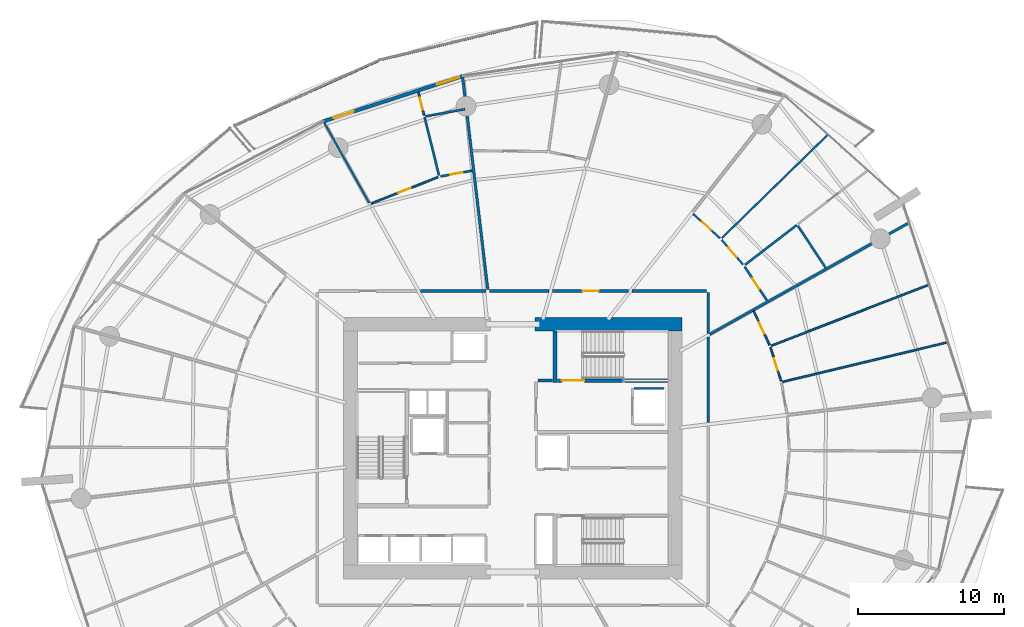
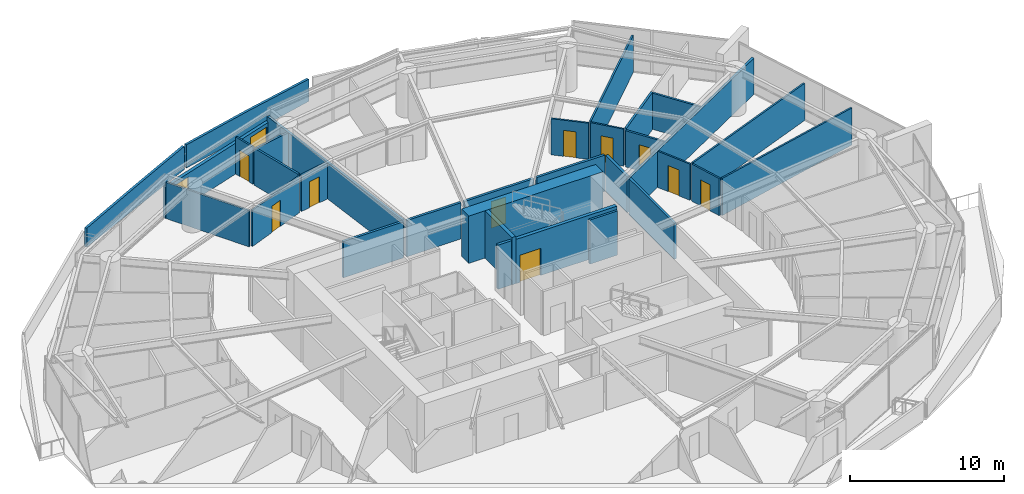
# One storey, part 23 of 31: 32 walls, 11 doors, 1 window, 12 openings.
"""IFC4 building model written with IfcOpenShell, lengths in metres."""

from ifc_helpers import new_model, si_unit, direction, frame, frame_2d, origin, place, context, subcontext, project, spatial, polyline, rectangle, outline, extrude, material, layer, layer_set, type_object, element, fill, save


model = new_model("IFC4")

# Units and contexts
model_context = context("Model", 3, precision=1e-05, world=origin(), true_north=direction((0.0, 1.0)))
body_context = subcontext(model_context, "Body", "Model", "MODEL_VIEW")
ifc_project = project(units=[si_unit("LENGTHUNIT", "METRE"), si_unit("AREAUNIT", "SQUARE_METRE"), si_unit("VOLUMEUNIT", "CUBIC_METRE"), si_unit("PLANEANGLEUNIT", "RADIAN"), si_unit("MASSUNIT", "GRAM", prefix="KILO")], contexts=[model_context])

# Site, building, storey
site_placement = place(None, origin())
site = spatial("IfcSite", under=ifc_project, at=site_placement, CompositionType="ELEMENT")
building_placement = place(site_placement, origin())
building = spatial("IfcBuilding", under=site, at=building_placement, Name="Kazma Halo Residences", CompositionType="ELEMENT")
storey_placement = place(building_placement, frame((0.0, 0.0, 60.14990234375)))
storey = spatial("IfcBuildingStorey", under=building, at=storey_placement, Name="L14", CompositionType="ELEMENT", Elevation=60.14990234375)

# Walls
ifc_material_1 = material(Name="White Concrete C50/60 Balustrade", Category="concrete")
ifc_layer_1 = layer(ifc_material_1, 0.179931640625)
ifc_layer_set_1 = layer_set([ifc_layer_1], Name="White Concrete C50/60 Balustrade")
wall_type_1 = type_object("IfcWallType", Name="WL-BAL-WAVE-180", PredefinedType="PARAPET", material=ifc_layer_set_1)
wall_1_placement = place(storey_placement, frame((50.115234375, 71.1533203125, 0.0), z_axis=(0.0, 0.0, 1.0), x_axis=(-0.972165741218, -0.234294198824, 0.0)))
element("IfcWall", 1, at=wall_1_placement, inside=storey, type_object=wall_type_1, Name="L14 white wave balustrade wall NNW.1", PredefinedType="PARAPET", context=body_context, shape_type="SweptSolid", body=[
    extrude(outline(polyline([(0.0, 0.0), (10.93408203125, 0.0), (10.93408203125, 1.83203125), (5.467041015625, 1.85302734375), (0.0, 1.756103515625), (0.0, 0.0)])), frame((0.0, 0.08984375, 0.0), z_axis=(0.0, -1.0, 0.0), x_axis=(1.0, 0.0, 0.0)), (0.0, 0.0, 1.0), 0.179931640625),
])
wall_2_placement = place(storey_placement, frame((39.259521484375, 68.51416015625, 0.0), z_axis=(0.0, 0.0, 1.0), x_axis=(-0.911628502068, -0.411015175167, 0.0)))
element("IfcWall", 2, at=wall_2_placement, inside=storey, type_object=wall_type_1, Name="L14 white wave balustrade wall NNW.2", PredefinedType="PARAPET", context=body_context, shape_type="SweptSolid", body=[
    extrude(outline(polyline([(0.0, 0.0), (10.82861328125, 0.0), (10.82861328125, 1.4970703125), (5.414306640625, 1.696044921875), (0.0, 1.83203125), (0.0, 0.0)])), frame((0.0, 0.08984375, 0.0), z_axis=(0.0, -1.0, 0.0), x_axis=(1.0, 0.0, 0.0)), (0.0, 0.0, 1.0), 0.179931640625),
])
ifc_material_2 = material(Name="Concrete C80/95", Category="concrete")
ifc_layer_2 = layer(ifc_material_2, 0.949951171875)
ifc_layer_set_2 = layer_set([ifc_layer_2], Name="Concrete C80/95")
wall_type_2 = type_object("IfcWallType", Name="WL-CORE-950", PredefinedType="SHEAR", material=ifc_layer_set_2)
wall_3_placement = place(storey_placement, frame((49.949951171875, 50.47509765625, 0.0), z_axis=(0.0, 0.0, 1.0), x_axis=(1.0, 0.0, 0.0)))
element("IfcWall", 3, at=wall_3_placement, inside=storey, type_object=wall_type_2, Name="L14 central core shear wall NE", PredefinedType="SHEAR", context=body_context, shape_type="SweptSolid", body=[
    extrude(rectangle(XDim=10.050048828125, YDim=0.949951171875, at=frame_2d((5.02490234375, 0.0))), origin(), (0.0, 0.0, 1.0), 3.75),
])
ifc_material_3 = material(Name="Concrete C60/75", Category="concrete")
ifc_layer_3 = layer(ifc_material_3, 0.280029296875)
ifc_layer_set_3 = layer_set([ifc_layer_3], Name="Concrete C60/75")
wall_type_3 = type_object("IfcWallType", Name="WL-CORE-ST-280", PredefinedType="SHEAR", material=ifc_layer_set_3)
wall_4_placement = place(storey_placement, frame((51.31005859375, 46.5, 0.0), z_axis=(0.0, 0.0, 1.0), x_axis=(0.0, 1.0, 0.0)))
element("IfcWall", 4, at=wall_4_placement, inside=storey, type_object=wall_type_3, Name="L14 stairwell bearing wall ST02-W", PredefinedType="SHEAR", context=body_context, shape_type="SweptSolid", body=[
    extrude(rectangle(XDim=3.5, YDim=0.280029296875, at=frame_2d((1.75, 0.0))), origin(), (0.0, 0.0, 1.0), 3.75),
])
ifc_material_4 = material(Name="Acoustic Twin-Stud Gypsum")
ifc_layer_4 = layer(ifc_material_4, 0.179931640625)
ifc_layer_set_4 = layer_set([ifc_layer_4], Name="Acoustic Twin-Stud Gypsum")
wall_type_4 = type_object("IfcWallType", Name="WL-DEM-180", PredefinedType="PARTITIONING", material=ifc_layer_set_4)
wall_5_placement = place(storey_placement, frame((61.89599609375, 49.781982421875, 0.0), z_axis=(0.0, 0.0, 1.0), x_axis=(0.872493215695, 0.488626225828, 0.0)))
element("IfcWall", 5, at=wall_5_placement, inside=storey, type_object=wall_type_4, Name="L14 apartment demising radial wall 00", PredefinedType="PARTITIONING", context=body_context, shape_type="SweptSolid", body=[
    extrude(rectangle(XDim=15.612060546875, YDim=0.179931640625, at=frame_2d((7.80615234375, 0.0))), origin(), (0.0, 0.0, 1.0), 2.8671875),
])
wall_6_placement = place(storey_placement, frame((46.71484375, 52.859130859375, 0.0), z_axis=(0.0, 0.0, 1.0), x_axis=(-0.117534950089, 0.993068746617, 0.0)))
element("IfcWall", 6, at=wall_6_placement, inside=storey, type_object=wall_type_4, Name="L14 apartment demising radial wall 03", PredefinedType="PARTITIONING", context=body_context, shape_type="SweptSolid", body=[
    extrude(rectangle(XDim=14.66064453125, YDim=0.179931640625, at=frame_2d((7.330322265625, 0.0))), origin(), (0.0, 0.0, 1.0), 2.8671875),
])
wall_7_placement = place(storey_placement, frame((46.607666015625, 52.75, 0.0), z_axis=(0.0, 0.0, 1.0), x_axis=(-1.0, 0.0, 0.0)))
element("IfcWall", 7, at=wall_7_placement, inside=storey, type_object=wall_type_4, Name="L14 Apartment 1 inner wall 3", PredefinedType="PARTITIONING", context=body_context, shape_type="SweptSolid", body=[
    extrude(rectangle(XDim=4.508056640625, YDim=0.179931640625, at=frame_2d((2.25390625, 0.0))), origin(), (0.0, 0.0, 1.0), 2.8671875),
])
wall_8_placement = place(storey_placement, frame((61.800048828125, 43.75341796875, 0.0), z_axis=(0.0, 0.0, 1.0), x_axis=(0.0, 1.0, 0.0)))
element("IfcWall", 8, at=wall_8_placement, inside=storey, type_object=wall_type_4, Name="L14 Apartment 3 inner wall 15", PredefinedType="PARTITIONING", context=body_context, shape_type="SweptSolid", body=[
    extrude(rectangle(XDim=5.85498046875, YDim=0.179931640625, at=frame_2d((2.927490234375, 0.0))), origin(), (0.0, 0.0, 1.0), 2.8671875),
])

# Wall, opening, door
wall_9_placement = place(storey_placement, frame((56.3544921875, 52.75, 0.0), z_axis=(0.0, 0.0, 1.0), x_axis=(-1.0, 0.0, 0.0)))
wall_9 = element("IfcWall", 9, at=wall_9_placement, inside=storey, type_object=wall_type_4, Name="L14 Apartment 4 entrance corridor wall", PredefinedType="PARTITIONING", context=body_context, shape_type="SweptSolid", body=[
    extrude(rectangle(XDim=5.20263671875, YDim=0.179931640625, at=frame_2d((2.601318359375, 0.0))), origin(), (0.0, 0.0, 1.0), 2.8671875),
])
opening_1_placement = place(wall_9_placement, frame((2.051513671875, 0.0, 0.0)))
opening_1 = element("IfcOpeningElement", 10, at=opening_1_placement, cuts=wall_9, Name="Opening DA-1100", PredefinedType="OPENING", context=body_context, shape_type="SweptSolid", body=[
    extrude(rectangle(XDim=1.10009765625, YDim=2.10009765625, at=frame_2d((0.550048828125, 1.050048828125))), frame((0.0, 0.099853515625, 0.0), z_axis=(0.0, -1.0, 0.0), x_axis=(1.0, 0.0, 0.0)), (0.0, 0.0, 1.0), 0.199951171875),
])
ifc_material_5 = material(Name="Acoustic Walnut Fire Leaf")
door_type_1 = type_object("IfcDoorType", Name="DR-FD60-1100", OperationType="NOTDEFINED", PredefinedType="DOOR", material=ifc_material_5)
door_1_placement = place(opening_1_placement, origin())
door_1 = element("IfcDoor", 11, at=door_1_placement, inside=storey, type_object=door_type_1, Name="L14 Apartment 4 entrance fire door", OperationType="SINGLE_SWING_LEFT", OverallHeight=2.10009765625, OverallWidth=1.10009765625, PredefinedType="DOOR", context=body_context, shape_type="SweptSolid", body=[
    extrude(rectangle(XDim=1.10009765625, YDim=2.10009765625, at=frame_2d((0.550048828125, 1.050048828125))), frame((0.0, 0.02490234375, 0.0), z_axis=(0.0, -1.0, 0.0), x_axis=(1.0, 0.0, 0.0)), (0.0, 0.0, 1.0), 0.050048828125),
])
fill(opening_1, door_1)

# Walls
wall_10_placement = place(storey_placement, frame((61.800048828125, 49.848388671875, 0.0), z_axis=(0.0, 0.0, 1.0), x_axis=(0.0, 1.0, 0.0)))
element("IfcWall", 12, at=wall_10_placement, inside=storey, type_object=wall_type_4, Name="L14 Apartment 4 inner wall 0", PredefinedType="PARTITIONING", context=body_context, shape_type="SweptSolid", body=[
    extrude(rectangle(XDim=2.781494140625, YDim=0.179931640625, at=frame_2d((1.390625, 0.0))), origin(), (0.0, 0.0, 1.0), 2.8671875),
])
wall_11_placement = place(storey_placement, frame((61.679931640625, 52.75, 0.0), z_axis=(0.0, 0.0, 1.0), x_axis=(-1.0, 0.0, 0.0)))
element("IfcWall", 13, at=wall_11_placement, inside=storey, type_object=wall_type_4, Name="L14 Apartment 4 inner wall 0", PredefinedType="PARTITIONING", context=body_context, shape_type="SweptSolid", body=[
    extrude(rectangle(XDim=5.08544921875, YDim=0.179931640625, at=frame_2d((2.542724609375, 0.0))), origin(), (0.0, 0.0, 1.0), 2.8671875),
])
wall_12_placement = place(storey_placement, frame((50.911865234375, 52.75, 0.0), z_axis=(0.0, 0.0, 1.0), x_axis=(-1.0, 0.0, 0.0)))
element("IfcWall", 14, at=wall_12_placement, inside=storey, type_object=wall_type_4, Name="L14 Apartment 4 inner wall 2", PredefinedType="PARTITIONING", context=body_context, shape_type="SweptSolid", body=[
    extrude(rectangle(XDim=4.064208984375, YDim=0.179931640625, at=frame_2d((2.0322265625, 0.0))), origin(), (0.0, 0.0, 1.0), 2.8671875),
])

# Wall, openings, door, window
ifc_material_6 = material(Name="Insulated Pale-Metal Composite Wall")
ifc_layer_5 = layer(ifc_material_6, 0.239990234375)
ifc_layer_set_5 = layer_set([ifc_layer_5], Name="Insulated Pale-Metal Composite Wall")
wall_type_5 = type_object("IfcWallType", Name="WL-EXT-HOST-240", PredefinedType="SOLIDWALL", material=ifc_layer_set_5)
wall_13_placement = place(storey_placement, frame((45.0361328125, 67.45849609375, 0.0), z_axis=(0.0, 0.0, 1.0), x_axis=(-0.951054679225, -0.309022648238, 0.0)))
wall_13 = element("IfcWall", 15, at=wall_13_placement, inside=storey, type_object=wall_type_5, Name="L14 exterior terrace-access wall B04", PredefinedType="SOLIDWALL", context=body_context, shape_type="SweptSolid", body=[
    extrude(rectangle(XDim=10.0966796875, YDim=0.239990234375, at=frame_2d((5.04833984375, 0.0))), origin(), (0.0, 0.0, 1.0), 2.4501953125),
])
opening_2_placement = place(wall_13_placement, frame((7.876708984375, 0.0, 0.0)))
opening_2 = element("IfcOpeningElement", 16, at=opening_2_placement, cuts=wall_13, Name="Opening DTR-1600", PredefinedType="OPENING", context=body_context, shape_type="SweptSolid", body=[
    extrude(rectangle(XDim=1.449951171875, YDim=2.14990234375, at=frame_2d((0.72509765625, 1.074951171875))), frame((0.0, 0.1298828125, 0.0), z_axis=(0.0, -1.0, 0.0), x_axis=(1.0, 0.0, 0.0)), (0.0, 0.0, 1.0), 0.260009765625),
])
opening_3_placement = place(wall_13_placement, frame((0.280029296875, 0.0, 0.64990234375)))
opening_3 = element("IfcOpeningElement", 17, at=opening_3_placement, cuts=wall_13, Name="Opening W-1800", PredefinedType="OPENING", context=body_context, shape_type="SweptSolid", body=[
    extrude(rectangle(XDim=1.60009765625, YDim=1.5, at=frame_2d((0.800048828125, 0.75))), frame((0.0, 0.1298828125, 0.0), z_axis=(0.0, -1.0, 0.0), x_axis=(1.0, 0.0, 0.0)), (0.0, 0.0, 1.0), 0.260009765625),
])
ifc_material_7 = material(Name="Aluminium AW-6063 T6 Double-Glazed Terrace Door", Category="aluminium")
door_type_2 = type_object("IfcDoorType", Name="DR-EXT-TERR-1600", OperationType="NOTDEFINED", PredefinedType="DOOR", material=ifc_material_7)
door_2_placement = place(opening_2_placement, origin())
door_2 = element("IfcDoor", 18, at=door_2_placement, inside=storey, type_object=door_type_2, Name="L14 B04 balcony terrace door", OperationType="DOUBLE_DOOR_SLIDING", OverallHeight=2.14990234375, OverallWidth=1.449951171875, PredefinedType="DOOR", context=body_context, shape_type="SweptSolid", body=[
    extrude(rectangle(XDim=1.449951171875, YDim=2.14990234375, at=frame_2d((0.72509765625, 1.074951171875))), frame((0.0, 0.02490234375, 0.0), z_axis=(0.0, -1.0, 0.0), x_axis=(1.0, 0.0, 0.0)), (0.0, 0.0, 1.0), 0.050048828125),
])
fill(opening_2, door_2)
ifc_material_8 = material(Name="Clear Triple-Silver Low-E Glass in Aluminium AW-6063 T6 Frame", Category="aluminium")
window_type = type_object("IfcWindowType", Name="WIN-RES-1800", PartitioningType="DOUBLE_PANEL_VERTICAL", PredefinedType="WINDOW", material=ifc_material_8)
window_placement = place(opening_3_placement, origin())
window = element("IfcWindow", 19, at=window_placement, inside=storey, type_object=window_type, Name="L14 B04 apartment window", OverallHeight=1.5, OverallWidth=1.60009765625, PartitioningType="SINGLE_PANEL", PredefinedType="WINDOW", context=body_context, shape_type="SweptSolid", body=[
    extrude(rectangle(XDim=1.60009765625, YDim=1.5, at=frame_2d((0.800048828125, 0.75))), frame((0.0, 0.030029296875, 0.0), z_axis=(0.0, -1.0, 0.0), x_axis=(1.0, 0.0, 0.0)), (0.0, 0.0, 1.0), 0.06005859375),
])
fill(opening_3, window)

# Walls
ifc_material_9 = material(Name="Fire-Rated Blockwork Masonry", Category="masonry")
ifc_layer_6 = layer(ifc_material_9, 0.199951171875)
ifc_layer_set_6 = layer_set([ifc_layer_6], Name="Fire-Rated Blockwork Masonry")
wall_type_6 = type_object("IfcWallType", Name="WL-FLB-200", PredefinedType="PARTITIONING", material=ifc_layer_set_6)
wall_14_placement = place(storey_placement, frame((56.719970703125, 46.080078125, 0.0), z_axis=(0.0, 0.0, 1.0), x_axis=(1.0, 0.0, 0.0)))
element("IfcWall", 20, at=wall_14_placement, inside=storey, type_object=wall_type_6, Name="L14 lift shaft FL-02 side wall N", PredefinedType="PARTITIONING", context=body_context, shape_type="SweptSolid", body=[
    extrude(rectangle(XDim=2.06005859375, YDim=0.159912109375, at=frame_2d((1.030029296875, 0.0))), origin(), (0.0, 0.0, 1.0), 3.5),
])
wall_15_placement = place(storey_placement, frame((50.139892578125, 46.6201171875, 0.0), z_axis=(0.0, 0.0, 1.0), x_axis=(1.0, 0.0, 0.0)))
element("IfcWall", 21, at=wall_15_placement, inside=storey, type_object=wall_type_6, Name="L14 east firefighting lobby north closure wall", PredefinedType="PARTITIONING", context=body_context, shape_type="SweptSolid", body=[
    extrude(rectangle(XDim=1.02001953125, YDim=0.199951171875, at=frame_2d((0.510009765625, 0.0))), origin(), (0.0, 0.0, 1.0), 3.5),
])
ifc_material_10 = material(Name="Gypsum Plasterboard Partition")
ifc_layer_7 = layer(ifc_material_10, 0.125)
ifc_layer_set_7 = layer_set([ifc_layer_7], Name="Gypsum Plasterboard Partition")
wall_type_7 = type_object("IfcWallType", Name="WL-PART-125", PredefinedType="PARTITIONING", material=ifc_layer_set_7)
wall_16_placement = place(storey_placement, frame((38.603759765625, 58.778076171875, 0.0), z_axis=(0.0, 0.0, 1.0), x_axis=(-0.488617606889, 0.872498042541, 0.0)))
element("IfcWall", 22, at=wall_16_placement, inside=storey, type_object=wall_type_7, Name="L14 Apartment 1 living radial partition 3", PredefinedType="PARTITIONING", context=body_context, shape_type="SweptSolid", body=[
    extrude(rectangle(XDim=6.265625, YDim=0.125, at=frame_2d((3.1328125, 0.0))), origin(), (0.0, 0.0, 1.0), 2.8671875),
])

# Wall, opening, door
wall_17_placement = place(storey_placement, frame((42.36376953125, 64.7666015625, 0.0), z_axis=(0.0, 0.0, 1.0), x_axis=(-0.240399183991, 0.970674112324, 0.0)))
wall_17 = element("IfcWall", 23, at=wall_17_placement, inside=storey, type_object=wall_type_7, Name="L14 Apartment 1 Household Store Room partition wall", PredefinedType="PARTITIONING", context=body_context, shape_type="SweptSolid", body=[
    extrude(rectangle(XDim=1.61376953125, YDim=0.125, at=frame_2d((0.806884765625, 0.0))), origin(), (0.0, 0.0, 1.0), 2.940185546875),
])
opening_4_placement = place(wall_17_placement, frame((0.3818359375, 0.0, 0.0)))
opening_4 = element("IfcOpeningElement", 24, at=opening_4_placement, cuts=wall_17, Name="Opening DB-900", PredefinedType="OPENING", context=body_context, shape_type="SweptSolid", body=[
    extrude(rectangle(XDim=0.85009765625, YDim=2.06005859375, at=frame_2d((0.425048828125, 1.030029296875))), frame((0.0, 0.072509765625, 0.0), z_axis=(0.0, -1.0, 0.0), x_axis=(1.0, 0.0, 0.0)), (0.0, 0.0, 1.0), 0.14501953125),
])
ifc_material_11 = material(Name="Moisture-Sealed Timber Leaf", Category="wood")
door_type_3 = type_object("IfcDoorType", Name="DR-BTH-900", OperationType="NOTDEFINED", PredefinedType="DOOR", material=ifc_material_11)
door_3_placement = place(opening_4_placement, origin())
door_3 = element("IfcDoor", 25, at=door_3_placement, inside=storey, type_object=door_type_3, Name="L14 Apartment 1 Household Store Room door", OperationType="SINGLE_SWING_LEFT", OverallHeight=2.06005859375, OverallWidth=0.85009765625, PredefinedType="DOOR", context=body_context, shape_type="SweptSolid", body=[
    extrude(rectangle(XDim=0.85009765625, YDim=2.06005859375, at=frame_2d((0.425048828125, 1.030029296875))), frame((0.0, 0.02490234375, 0.0), z_axis=(0.0, -1.0, 0.0), x_axis=(1.0, 0.0, 0.0)), (0.0, 0.0, 1.0), 0.050048828125),
])
fill(opening_4, door_3)

wall_18_placement = place(storey_placement, frame((43.319091796875, 60.536376953125, 0.0), z_axis=(0.0, 0.0, 1.0), x_axis=(-0.929910978534, -0.367784681576, 0.0)))
wall_18 = element("IfcWall", 26, at=wall_18_placement, inside=storey, type_object=wall_type_7, Name="L14 Apartment 1 Gourmet Kitchen hall wall", PredefinedType="PARTITIONING", context=body_context, shape_type="SweptSolid", body=[
    extrude(rectangle(XDim=4.918212890625, YDim=0.125, at=frame_2d((2.458984375, 0.0))), origin(), (0.0, 0.0, 1.0), 2.8671875),
])
opening_5_placement = place(wall_18_placement, frame((2.009033203125, 0.0, 0.0)))
opening_5 = element("IfcOpeningElement", 27, at=opening_5_placement, cuts=wall_18, Name="Opening DI-950", PredefinedType="OPENING", context=body_context, shape_type="SweptSolid", body=[
    extrude(rectangle(XDim=0.89990234375, YDim=2.080078125, at=frame_2d((0.449951171875, 1.0400390625))), frame((0.0, 0.072509765625, 0.0), z_axis=(0.0, -1.0, 0.0), x_axis=(1.0, 0.0, 0.0)), (0.0, 0.0, 1.0), 0.14501953125),
])
ifc_material_12 = material(Name="Timber Veneer Flush Leaf", Category="wood")
door_type_4 = type_object("IfcDoorType", Name="DR-INT-950", OperationType="NOTDEFINED", PredefinedType="DOOR", material=ifc_material_12)
door_4_placement = place(opening_5_placement, origin())
door_4 = element("IfcDoor", 28, at=door_4_placement, inside=storey, type_object=door_type_4, Name="L14 Apartment 1 Gourmet Kitchen door", OperationType="SINGLE_SWING_RIGHT", OverallHeight=2.080078125, OverallWidth=0.89990234375, PredefinedType="DOOR", context=body_context, shape_type="SweptSolid", body=[
    extrude(rectangle(XDim=0.89990234375, YDim=2.080078125, at=frame_2d((0.449951171875, 1.0400390625))), frame((0.0, 0.02490234375, 0.0), z_axis=(0.0, -1.0, 0.0), x_axis=(1.0, 0.0, 0.0)), (0.0, 0.0, 1.0), 0.050048828125),
])
fill(opening_5, door_4)

# Walls
wall_19_placement = place(storey_placement, frame((66.88623046875, 46.5341796875, 0.0), z_axis=(0.0, 0.0, 1.0), x_axis=(0.972368393799, 0.233451722507, 0.0)))
element("IfcWall", 29, at=wall_19_placement, inside=storey, type_object=wall_type_7, Name="L14 Apartment 3 bay wall 1 15", PredefinedType="PARTITIONING", context=body_context, shape_type="SweptSolid", body=[
    extrude(rectangle(XDim=11.60498046875, YDim=0.125, at=frame_2d((5.802490234375, 0.0))), origin(), (0.0, 0.0, 1.0), 2.940185546875),
])
wall_20_placement = place(storey_placement, frame((66.114501953125, 49.008056640625, 0.0), z_axis=(0.0, 0.0, 1.0), x_axis=(0.932641955578, 0.360803246514, 0.0)))
element("IfcWall", 30, at=wall_20_placement, inside=storey, type_object=wall_type_7, Name="L14 Apartment 3 bay wall 2 15", PredefinedType="PARTITIONING", context=body_context, shape_type="SweptSolid", body=[
    extrude(rectangle(XDim=11.555908203125, YDim=0.125, at=frame_2d((5.77783203125, 0.0))), origin(), (0.0, 0.0, 1.0), 2.940185546875),
])

# Wall, opening, door
wall_21_placement = place(storey_placement, frame((66.77490234375, 46.589599609375, 0.0), z_axis=(0.0, 0.0, 1.0), x_axis=(-0.297792299564, 0.954630685826, 0.0)))
wall_21 = element("IfcWall", 31, at=wall_21_placement, inside=storey, type_object=wall_type_7, Name="L14 Apartment 3 North Dressing Wardrobe hall wall", PredefinedType="PARTITIONING", context=body_context, shape_type="SweptSolid", body=[
    extrude(rectangle(XDim=2.41943359375, YDim=0.125, at=frame_2d((1.209716796875, 0.0))), origin(), (0.0, 0.0, 1.0), 2.940185546875),
])
opening_6_placement = place(wall_21_placement, frame((0.78466796875, 0.0, 0.0)))
opening_6 = element("IfcOpeningElement", 32, at=opening_6_placement, cuts=wall_21, Name="Opening DB-900", PredefinedType="OPENING", context=body_context, shape_type="SweptSolid", body=[
    extrude(rectangle(XDim=0.85009765625, YDim=2.06005859375, at=frame_2d((0.425048828125, 1.030029296875))), frame((0.0, 0.072509765625, 0.0), z_axis=(0.0, -1.0, 0.0), x_axis=(1.0, 0.0, 0.0)), (0.0, 0.0, 1.0), 0.14501953125),
])
door_5_placement = place(opening_6_placement, origin())
door_5 = element("IfcDoor", 33, at=door_5_placement, inside=storey, type_object=door_type_3, Name="L14 Apartment 3 North Dressing Wardrobe door", OperationType="SINGLE_SWING_RIGHT", OverallHeight=2.06005859375, OverallWidth=0.85009765625, PredefinedType="DOOR", context=body_context, shape_type="SweptSolid", body=[
    extrude(rectangle(XDim=0.85009765625, YDim=2.06005859375, at=frame_2d((0.425048828125, 1.030029296875))), frame((0.0, 0.02490234375, 0.0), z_axis=(0.0, -1.0, 0.0), x_axis=(1.0, 0.0, 0.0)), (0.0, 0.0, 1.0), 0.050048828125),
])
fill(opening_6, door_5)

wall_22_placement = place(storey_placement, frame((65.99658203125, 49.048095703125, 0.0), z_axis=(0.0, 0.0, 1.0), x_axis=(-0.425774166793, 0.904829463983, 0.0)))
wall_22 = element("IfcWall", 34, at=wall_22_placement, inside=storey, type_object=wall_type_7, Name="L14 Apartment 3 South Master Bedroom hall wall", PredefinedType="PARTITIONING", context=body_context, shape_type="SweptSolid", body=[
    extrude(rectangle(XDim=2.570556640625, YDim=0.125, at=frame_2d((1.28515625, 0.0))), origin(), (0.0, 0.0, 1.0), 2.8671875),
])
opening_7_placement = place(wall_22_placement, frame((0.8603515625, 0.0, 0.0)))
opening_7 = element("IfcOpeningElement", 35, at=opening_7_placement, cuts=wall_22, Name="Opening DB-900", PredefinedType="OPENING", context=body_context, shape_type="SweptSolid", body=[
    extrude(rectangle(XDim=0.85009765625, YDim=2.06005859375, at=frame_2d((0.425048828125, 1.030029296875))), frame((0.0, 0.072509765625, 0.0), z_axis=(0.0, -1.0, 0.0), x_axis=(1.0, 0.0, 0.0)), (0.0, 0.0, 1.0), 0.14501953125),
])
door_6_placement = place(opening_7_placement, origin())
door_6 = element("IfcDoor", 36, at=door_6_placement, inside=storey, type_object=door_type_3, Name="L14 Apartment 3 South Master Bedroom door", OperationType="SINGLE_SWING_LEFT", OverallHeight=2.06005859375, OverallWidth=0.85009765625, PredefinedType="DOOR", context=body_context, shape_type="SweptSolid", body=[
    extrude(rectangle(XDim=0.85009765625, YDim=2.06005859375, at=frame_2d((0.425048828125, 1.030029296875))), frame((0.0, 0.02490234375, 0.0), z_axis=(0.0, -1.0, 0.0), x_axis=(1.0, 0.0, 0.0)), (0.0, 0.0, 1.0), 0.050048828125),
])
fill(opening_7, door_6)

# Wall
wall_23_placement = place(storey_placement, frame((62.724853515625, 56.36767578125, 0.0), z_axis=(0.0, 0.0, 1.0), x_axis=(0.715749552764, 0.698357056038, 0.0)))
element("IfcWall", 37, at=wall_23_placement, inside=storey, type_object=wall_type_7, Name="L14 Apartment 4 suite divider 0", PredefinedType="PARTITIONING", context=body_context, shape_type="SweptSolid", body=[
    extrude(rectangle(XDim=10.106689453125, YDim=0.125, at=frame_2d((5.05322265625, 0.0))), origin(), (0.0, 0.0, 1.0), 2.940185546875),
])

# Wall, opening, door
wall_24_placement = place(storey_placement, frame((64.1796875, 54.552001953125, 0.0), z_axis=(0.0, 0.0, 1.0), x_axis=(-0.654947139149, 0.75567469517, 0.0)))
wall_24 = element("IfcWall", 38, at=wall_24_placement, inside=storey, type_object=wall_type_7, Name="L14 Apartment 4 Gourmet Kitchen hall wall", PredefinedType="PARTITIONING", context=body_context, shape_type="SweptSolid", body=[
    extrude(rectangle(XDim=2.239501953125, YDim=0.125, at=frame_2d((1.11962890625, 0.0))), origin(), (0.0, 0.0, 1.0), 2.940185546875),
])
opening_8_placement = place(wall_24_placement, frame((0.694580078125, 0.0, 0.0)))
opening_8 = element("IfcOpeningElement", 39, at=opening_8_placement, cuts=wall_24, Name="Opening DB-900", PredefinedType="OPENING", context=body_context, shape_type="SweptSolid", body=[
    extrude(rectangle(XDim=0.85009765625, YDim=2.06005859375, at=frame_2d((0.425048828125, 1.030029296875))), frame((0.0, 0.072509765625, 0.0), z_axis=(0.0, -1.0, 0.0), x_axis=(1.0, 0.0, 0.0)), (0.0, 0.0, 1.0), 0.14501953125),
])
door_7_placement = place(opening_8_placement, origin())
door_7 = element("IfcDoor", 40, at=door_7_placement, inside=storey, type_object=door_type_3, Name="L14 Apartment 4 Gourmet Kitchen door", OperationType="SINGLE_SWING_LEFT", OverallHeight=2.06005859375, OverallWidth=0.85009765625, PredefinedType="DOOR", context=body_context, shape_type="SweptSolid", body=[
    extrude(rectangle(XDim=0.85009765625, YDim=2.06005859375, at=frame_2d((0.425048828125, 1.030029296875))), frame((0.0, 0.02490234375, 0.0), z_axis=(0.0, -1.0, 0.0), x_axis=(1.0, 0.0, 0.0)), (0.0, 0.0, 1.0), 0.050048828125),
])
fill(opening_8, door_7)

wall_25_placement = place(storey_placement, frame((62.60107421875, 56.358154296875, 0.0), z_axis=(0.0, 0.0, 1.0), x_axis=(-0.743435913228, 0.66880717918, 0.0)))
wall_25 = element("IfcWall", 41, at=wall_25_placement, inside=storey, type_object=wall_type_7, Name="L14 Apartment 4 Primary Bedroom hall wall", PredefinedType="PARTITIONING", context=body_context, shape_type="SweptSolid", body=[
    extrude(rectangle(XDim=2.48291015625, YDim=0.125, at=frame_2d((1.241455078125, 0.0))), origin(), (0.0, 0.0, 1.0), 2.8671875),
])
opening_9_placement = place(wall_25_placement, frame((0.81640625, 0.0, 0.0)))
opening_9 = element("IfcOpeningElement", 42, at=opening_9_placement, cuts=wall_25, Name="Opening DB-900", PredefinedType="OPENING", context=body_context, shape_type="SweptSolid", body=[
    extrude(rectangle(XDim=0.85009765625, YDim=2.06005859375, at=frame_2d((0.425048828125, 1.030029296875))), frame((0.0, 0.072509765625, 0.0), z_axis=(0.0, -1.0, 0.0), x_axis=(1.0, 0.0, 0.0)), (0.0, 0.0, 1.0), 0.14501953125),
])
door_8_placement = place(opening_9_placement, origin())
door_8 = element("IfcDoor", 43, at=door_8_placement, inside=storey, type_object=door_type_3, Name="L14 Apartment 4 Primary Bedroom door", OperationType="SINGLE_SWING_RIGHT", OverallHeight=2.06005859375, OverallWidth=0.85009765625, PredefinedType="DOOR", context=body_context, shape_type="SweptSolid", body=[
    extrude(rectangle(XDim=0.85009765625, YDim=2.06005859375, at=frame_2d((0.425048828125, 1.030029296875))), frame((0.0, 0.02490234375, 0.0), z_axis=(0.0, -1.0, 0.0), x_axis=(1.0, 0.0, 0.0)), (0.0, 0.0, 1.0), 0.050048828125),
])
fill(opening_9, door_8)

ifc_material_13 = material(Name="Concrete C50/60", Category="concrete")
ifc_layer_8 = layer(ifc_material_13, 0.25)
ifc_layer_set_8 = layer_set([ifc_layer_8], Name="Concrete C50/60")
wall_type_8 = type_object("IfcWallType", Name="WL-SHF-250", PredefinedType="SOLIDWALL", material=ifc_layer_set_8)
wall_26_placement = place(storey_placement, frame((51.47998046875, 46.6201171875, 0.0), z_axis=(0.0, 0.0, 1.0), x_axis=(1.0, 0.0, 0.0)))
wall_26 = element("IfcWall", 44, at=wall_26_placement, inside=storey, type_object=wall_type_8, Name="L14 exit stair ST-02 enclosure wall", PredefinedType="SOLIDWALL", context=body_context, shape_type="SweptSolid", body=[
    extrude(rectangle(XDim=7.5400390625, YDim=0.25, at=frame_2d((3.77001953125, 0.0))), origin(), (0.0, 0.0, 1.0), 3.5),
])
opening_10_placement = place(wall_26_placement, frame((0.300048828125, 0.0, 0.0)))
opening_10 = element("IfcOpeningElement", 45, at=opening_10_placement, cuts=wall_26, Name="Opening D-ST2", PredefinedType="OPENING", context=body_context, shape_type="SweptSolid", body=[
    extrude(rectangle(XDim=1.550048828125, YDim=2.14990234375, at=frame_2d((0.77490234375, 1.074951171875))), frame((0.0, 0.135009765625, 0.0), z_axis=(0.0, -1.0, 0.0), x_axis=(1.0, 0.0, 0.0)), (0.0, 0.0, 1.0), 0.27001953125),
])
ifc_material_14 = material(Name="Fire-Rated Double Steel Leaf", Category="steel")
door_type_5 = type_object("IfcDoorType", Name="DR-FD90-1550", OperationType="NOTDEFINED", PredefinedType="DOOR", material=ifc_material_14)
door_9_placement = place(opening_10_placement, origin())
door_9 = element("IfcDoor", 46, at=door_9_placement, inside=storey, type_object=door_type_5, Name="L14 exit stair ST-02 fire door", OperationType="DOUBLE_DOOR_SINGLE_SWING", OverallHeight=2.14990234375, OverallWidth=1.550048828125, PredefinedType="DOOR", context=body_context, shape_type="SweptSolid", body=[
    extrude(rectangle(XDim=1.550048828125, YDim=2.14990234375, at=frame_2d((0.77490234375, 1.074951171875))), frame((0.0, 0.02490234375, 0.0), z_axis=(0.0, -1.0, 0.0), x_axis=(1.0, 0.0, 0.0)), (0.0, 0.0, 1.0), 0.050048828125),
])
fill(opening_10, door_9)

ifc_material_15 = material(Name="Moisture-Resistant Gypsum")
ifc_layer_9 = layer(ifc_material_15, 0.14990234375)
ifc_layer_set_9 = layer_set([ifc_layer_9], Name="Moisture-Resistant Gypsum")
wall_type_9 = type_object("IfcWallType", Name="WL-WET-150", PredefinedType="PARTITIONING", material=ifc_layer_set_9)
wall_27_placement = place(storey_placement, frame((45.653076171875, 60.9794921875, 0.0), z_axis=(0.0, 0.0, 1.0), x_axis=(-0.983791601568, -0.179315600783, 0.0)))
wall_27 = element("IfcWall", 47, at=wall_27_placement, inside=storey, type_object=wall_type_9, Name="L14 Apartment 1 Guest Bathroom hall wall", PredefinedType="PARTITIONING", context=body_context, shape_type="SweptSolid", body=[
    extrude(rectangle(XDim=2.197509765625, YDim=0.14990234375, at=frame_2d((1.0986328125, 0.0))), origin(), (0.0, 0.0, 1.0), 2.8671875),
])
opening_11_placement = place(wall_27_placement, frame((0.673583984375, 0.0, 0.0)))
opening_11 = element("IfcOpeningElement", 48, at=opening_11_placement, cuts=wall_27, Name="Opening DB-900", PredefinedType="OPENING", context=body_context, shape_type="SweptSolid", body=[
    extrude(rectangle(XDim=0.85009765625, YDim=2.06005859375, at=frame_2d((0.425048828125, 1.030029296875))), frame((0.0, 0.0849609375, 0.0), z_axis=(0.0, -1.0, 0.0), x_axis=(1.0, 0.0, 0.0)), (0.0, 0.0, 1.0), 0.169921875),
])
door_10_placement = place(opening_11_placement, origin())
door_10 = element("IfcDoor", 49, at=door_10_placement, inside=storey, type_object=door_type_3, Name="L14 Apartment 1 Guest Bathroom door", OperationType="SINGLE_SWING_RIGHT", OverallHeight=2.06005859375, OverallWidth=0.85009765625, PredefinedType="DOOR", context=body_context, shape_type="SweptSolid", body=[
    extrude(rectangle(XDim=0.85009765625, YDim=2.06005859375, at=frame_2d((0.425048828125, 1.030029296875))), frame((0.0, 0.02490234375, 0.0), z_axis=(0.0, -1.0, 0.0), x_axis=(1.0, 0.0, 0.0)), (0.0, 0.0, 1.0), 0.050048828125),
])
fill(opening_11, door_10)

# Walls
wall_28_placement = place(storey_placement, frame((45.155517578125, 65.18408203125, 0.0), z_axis=(0.0, 0.0, 1.0), x_axis=(-0.983792433056, -0.179311038873, 0.0)))
element("IfcWall", 50, at=wall_28_placement, inside=storey, type_object=wall_type_9, Name="L14 Apartment 1 Guest Bathroom back wall", PredefinedType="PARTITIONING", context=body_context, shape_type="SweptSolid", body=[
    extrude(rectangle(XDim=2.725830078125, YDim=0.14990234375, at=frame_2d((1.36279296875, 0.0))), origin(), (0.0, 0.0, 1.0), 2.8671875),
])
wall_29_placement = place(storey_placement, frame((43.381103515625, 60.65673828125, 0.0), z_axis=(0.0, 0.0, 1.0), x_axis=(-0.240281337946, 0.97070329073, 0.0)))
element("IfcWall", 51, at=wall_29_placement, inside=storey, type_object=wall_type_9, Name="L14 Apartment 1 Guest Bathroom side wall", PredefinedType="PARTITIONING", context=body_context, shape_type="SweptSolid", body=[
    extrude(rectangle(XDim=4.103759765625, YDim=0.14990234375, at=frame_2d((2.0517578125, 0.0))), origin(), (0.0, 0.0, 1.0), 2.940185546875),
])

# Wall, opening, door
wall_30_placement = place(storey_placement, frame((65.81640625, 52.091796875, 0.0), z_axis=(0.0, 0.0, 1.0), x_axis=(-0.550532146696, 0.834813964578, 0.0)))
wall_30 = element("IfcWall", 52, at=wall_30_placement, inside=storey, type_object=wall_type_9, Name="L14 Apartment 4 Guest Bathroom hall wall", PredefinedType="PARTITIONING", context=body_context, shape_type="SweptSolid", body=[
    extrude(rectangle(XDim=2.775634765625, YDim=0.14990234375, at=frame_2d((1.3876953125, 0.0))), origin(), (0.0, 0.0, 1.0), 2.8671875),
])
opening_12_placement = place(wall_30_placement, frame((0.962890625, 0.0, 0.0)))
opening_12 = element("IfcOpeningElement", 53, at=opening_12_placement, cuts=wall_30, Name="Opening DB-900", PredefinedType="OPENING", context=body_context, shape_type="SweptSolid", body=[
    extrude(rectangle(XDim=0.85009765625, YDim=2.06005859375, at=frame_2d((0.425048828125, 1.030029296875))), frame((0.0, 0.0849609375, 0.0), z_axis=(0.0, -1.0, 0.0), x_axis=(1.0, 0.0, 0.0)), (0.0, 0.0, 1.0), 0.169921875),
])
door_11_placement = place(opening_12_placement, origin())
door_11 = element("IfcDoor", 54, at=door_11_placement, inside=storey, type_object=door_type_3, Name="L14 Apartment 4 Guest Bathroom door", OperationType="SINGLE_SWING_LEFT", OverallHeight=2.06005859375, OverallWidth=0.85009765625, PredefinedType="DOOR", context=body_context, shape_type="SweptSolid", body=[
    extrude(rectangle(XDim=0.85009765625, YDim=2.06005859375, at=frame_2d((0.425048828125, 1.030029296875))), frame((0.0, 0.02490234375, 0.0), z_axis=(0.0, -1.0, 0.0), x_axis=(1.0, 0.0, 0.0)), (0.0, 0.0, 1.0), 0.050048828125),
])
fill(opening_12, door_11)

# Walls
wall_31_placement = place(storey_placement, frame((69.821044921875, 54.334716796875, 0.0), z_axis=(0.0, 0.0, 1.0), x_axis=(-0.550516877558, 0.834824033868, 0.0)))
element("IfcWall", 55, at=wall_31_placement, inside=storey, type_object=wall_type_9, Name="L14 Apartment 4 Guest Bathroom back wall", PredefinedType="PARTITIONING", context=body_context, shape_type="SweptSolid", body=[
    extrude(rectangle(XDim=3.43994140625, YDim=0.14990234375, at=frame_2d((1.719970703125, 0.0))), origin(), (0.0, 0.0, 1.0), 2.8671875),
])
wall_32_placement = place(storey_placement, frame((64.310302734375, 54.5390625, 0.0), z_axis=(0.0, 0.0, 1.0), x_axis=(0.792803030826, 0.609477935871, 0.0)))
element("IfcWall", 56, at=wall_32_placement, inside=storey, type_object=wall_type_9, Name="L14 Apartment 4 Guest Bathroom side wall", PredefinedType="PARTITIONING", context=body_context, shape_type="SweptSolid", body=[
    extrude(rectangle(XDim=4.4599609375, YDim=0.14990234375, at=frame_2d((2.22998046875, 0.0))), origin(), (0.0, 0.0, 1.0), 2.940185546875),
])

save(model, "model.ifc")
